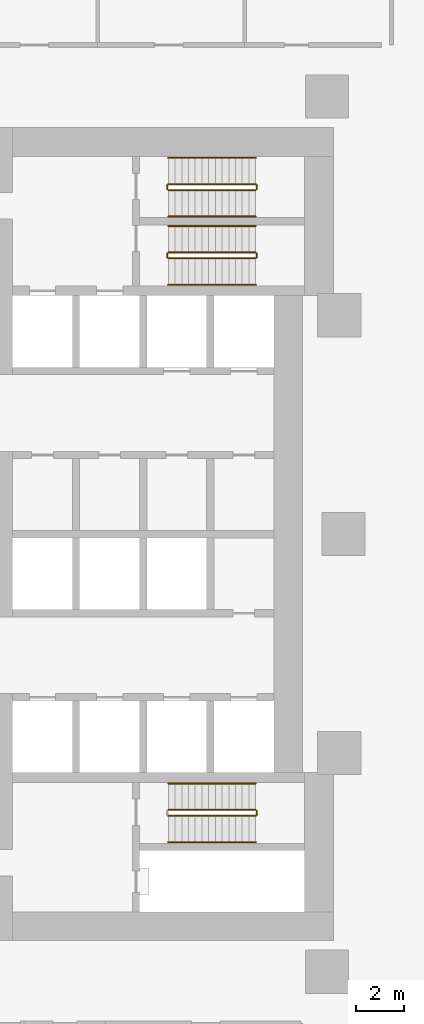
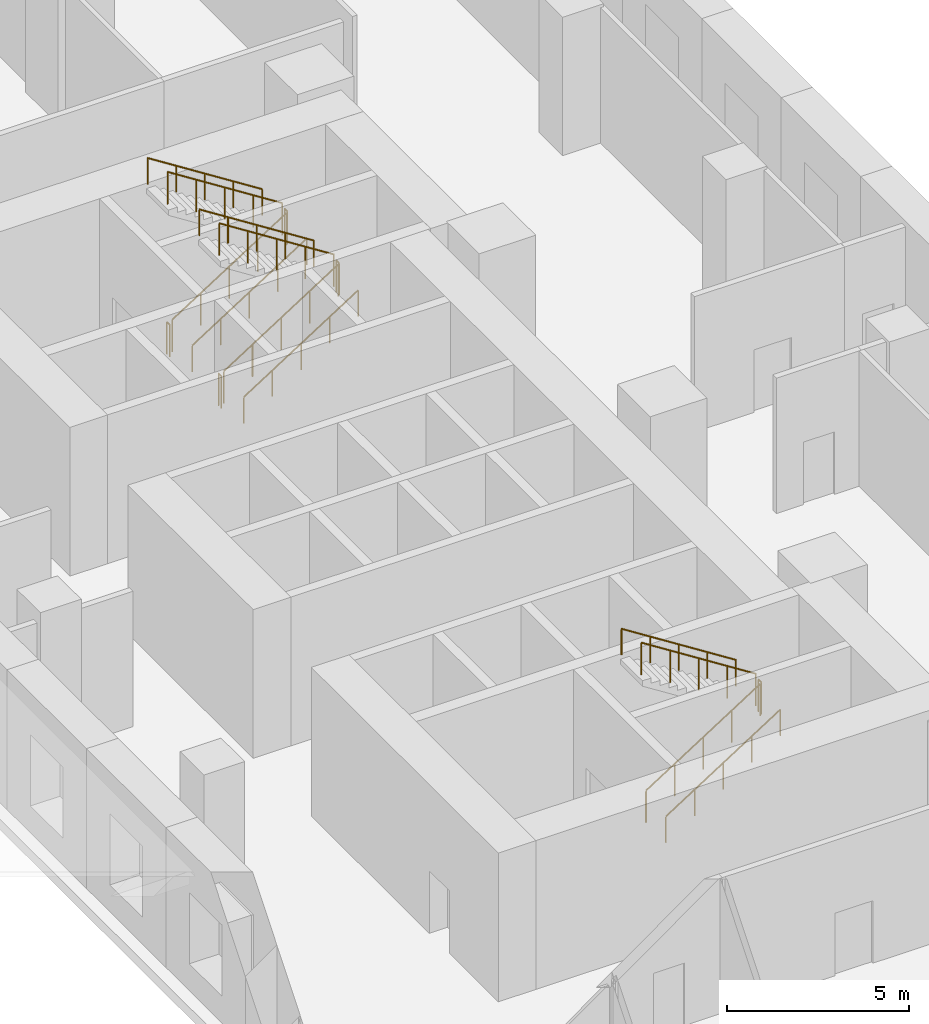
# One storey, part 10 of 11: 17 railings.
"""IFC4 building model written with IfcOpenShell, lengths in metres."""

from ifc_helpers import new_model, si_unit, direction, frame, origin, origin_2d, place, context, subcontext, project, spatial, circle, extrude, material, type_object, element, save


model = new_model("IFC4")

# Units and contexts
model_context = context("Model", 3, precision=1e-05, world=origin(), true_north=direction((0.0, 1.0)))
body_context = subcontext(model_context, "Body", "Model", "MODEL_VIEW")
ifc_project = project(units=[si_unit("LENGTHUNIT", "METRE"), si_unit("AREAUNIT", "SQUARE_METRE"), si_unit("VOLUMEUNIT", "CUBIC_METRE"), si_unit("PLANEANGLEUNIT", "RADIAN"), si_unit("MASSUNIT", "GRAM", prefix="KILO")], contexts=[model_context])

# Site, building, storey
site_placement = place(None, origin())
site = spatial("IfcSite", under=ifc_project, at=site_placement, CompositionType="ELEMENT")
building_placement = place(site_placement, origin())
building = spatial("IfcBuilding", under=site, at=building_placement, Name="Ostrand Prow Hotel Tower", CompositionType="ELEMENT")
storey_placement = place(building_placement, frame((0.0, 0.0, 24.0)))
storey = spatial("IfcBuildingStorey", under=building, at=storey_placement, Name="L04", CompositionType="ELEMENT", Elevation=24.0)

# Railings
ifc_material_1 = material(Name="Painted steel", Category="steel")
railing_type_1 = type_object("IfcRailingType", Name="Stair guard 1100", PredefinedType="GUARDRAIL", material=ifc_material_1)
railing_1_placement = place(storey_placement, frame((57.199951171875, 11.5, 0.178466796875)))
element("IfcRailing", 1, at=railing_1_placement, inside=storey, type_object=railing_type_1, Name="L04 ST1B stair guard 1", PredefinedType="GUARDRAIL", context=body_context, shape_type="SweptSolid", body=[
    extrude(circle(Radius=0.02392578125, at=origin_2d()), frame((0.0, 0.0, 1.076171875), z_axis=(0.843127859045, 0.0, 0.537713132908), x_axis=(0.0, 1.0, 0.0)), (0.0, 0.0, 1.0), 4.3173828125),
    extrude(circle(Radius=0.02099609375, at=origin_2d()), origin(), (0.0, 0.0, 1.0), 1.052001953125),
    extrude(circle(Radius=0.02099609375, at=origin_2d()), frame((0.91015625, 0.0, 0.580322265625)), (0.0, 0.0, 1.0), 1.052001953125),
    extrude(circle(Radius=0.02099609375, at=origin_2d()), frame((1.820068359375, 0.0, 1.16064453125)), (0.0, 0.0, 1.0), 1.052001953125),
    extrude(circle(Radius=0.02099609375, at=origin_2d()), frame((2.72998046875, 0.0, 1.7412109375)), (0.0, 0.0, 1.0), 1.052001953125),
    extrude(circle(Radius=0.02099609375, at=origin_2d()), frame((3.64013671875, 0.0, 2.321533203125)), (0.0, 0.0, 1.0), 1.052001953125),
])
railing_2_placement = place(storey_placement, frame((60.889892578125, 11.550048828125, 2.5)))
element("IfcRailing", 2, at=railing_2_placement, inside=storey, type_object=railing_type_1, Name="L04 ST1B stair guard 2", PredefinedType="GUARDRAIL", context=body_context, shape_type="SweptSolid", body=[
    extrude(circle(Radius=0.02392578125, at=origin_2d()), frame((0.0, 0.0, 1.076171875), z_axis=(0.0, 1.0, 0.0), x_axis=(-1.0, 0.0, 0.0)), (0.0, 0.0, 1.0), 0.14990234375),
    extrude(circle(Radius=0.02099609375, at=origin_2d()), origin(), (0.0, 0.0, 1.0), 1.052001953125),
    extrude(circle(Radius=0.02099609375, at=origin_2d()), frame((0.0, 0.14990234375, 0.0)), (0.0, 0.0, 1.0), 1.052001953125),
])
railing_3_placement = place(storey_placement, frame((60.840087890625, 11.75, 2.678466796875)))
element("IfcRailing", 3, at=railing_3_placement, inside=storey, type_object=railing_type_1, Name="L04 ST1B stair guard 3", PredefinedType="GUARDRAIL", context=body_context, shape_type="SweptSolid", body=[
    extrude(circle(Radius=0.02392578125, at=origin_2d()), frame((0.0, 0.0, 1.076171875), z_axis=(-0.843127859045, 0.0, 0.537713132908), x_axis=(0.0, -1.0, 0.0)), (0.0, 0.0, 1.0), 4.3173828125),
    extrude(circle(Radius=0.02099609375, at=origin_2d()), origin(), (0.0, 0.0, 1.0), 1.052001953125),
    extrude(circle(Radius=0.02099609375, at=origin_2d()), frame((-0.91015625, 0.0, 0.580322265625)), (0.0, 0.0, 1.0), 1.052001953125),
    extrude(circle(Radius=0.02099609375, at=origin_2d()), frame((-1.820068359375, 0.0, 1.16064453125)), (0.0, 0.0, 1.0), 1.052001953125),
    extrude(circle(Radius=0.02099609375, at=origin_2d()), frame((-2.72998046875, 0.0, 1.7412109375)), (0.0, 0.0, 1.0), 1.052001953125),
    extrude(circle(Radius=0.02099609375, at=origin_2d()), frame((-3.64013671875, 0.0, 2.321533203125)), (0.0, 0.0, 1.0), 1.052001953125),
])
railing_4_placement = place(storey_placement, frame((57.14990234375, 11.550048828125, 0.0)))
element("IfcRailing", 4, at=railing_4_placement, inside=storey, type_object=railing_type_1, Name="L04 ST1B stair guard 4", PredefinedType="GUARDRAIL", context=body_context, shape_type="SweptSolid", body=[
    extrude(circle(Radius=0.02392578125, at=origin_2d()), frame((0.0, 0.0, 1.076171875), z_axis=(0.0, 1.0, 0.0), x_axis=(-1.0, 0.0, 0.0)), (0.0, 0.0, 1.0), 0.14990234375),
    extrude(circle(Radius=0.02099609375, at=origin_2d()), origin(), (0.0, 0.0, 1.0), 1.052001953125),
    extrude(circle(Radius=0.02099609375, at=origin_2d()), frame((0.0, 0.14990234375, 0.0)), (0.0, 0.0, 1.0), 1.052001953125),
])
railing_5_placement = place(storey_placement, frame((57.199951171875, 14.35009765625, 0.178466796875)))
element("IfcRailing", 5, at=railing_5_placement, inside=storey, type_object=railing_type_1, Name="L04 ST3B stair guard 1", PredefinedType="GUARDRAIL", context=body_context, shape_type="SweptSolid", body=[
    extrude(circle(Radius=0.02392578125, at=origin_2d()), frame((0.0, 0.0, 1.076171875), z_axis=(0.843127859045, 0.0, 0.537713132908), x_axis=(0.0, 1.0, 0.0)), (0.0, 0.0, 1.0), 4.3173828125),
    extrude(circle(Radius=0.02099609375, at=origin_2d()), origin(), (0.0, 0.0, 1.0), 1.052001953125),
    extrude(circle(Radius=0.02099609375, at=origin_2d()), frame((0.91015625, 0.0, 0.580322265625)), (0.0, 0.0, 1.0), 1.052001953125),
    extrude(circle(Radius=0.02099609375, at=origin_2d()), frame((1.820068359375, 0.0, 1.16064453125)), (0.0, 0.0, 1.0), 1.052001953125),
    extrude(circle(Radius=0.02099609375, at=origin_2d()), frame((2.72998046875, 0.0, 1.7412109375)), (0.0, 0.0, 1.0), 1.052001953125),
    extrude(circle(Radius=0.02099609375, at=origin_2d()), frame((3.64013671875, 0.0, 2.321533203125)), (0.0, 0.0, 1.0), 1.052001953125),
])
railing_6_placement = place(storey_placement, frame((60.889892578125, 14.39990234375, 2.5)))
element("IfcRailing", 6, at=railing_6_placement, inside=storey, type_object=railing_type_1, Name="L04 ST3B stair guard 2", PredefinedType="GUARDRAIL", context=body_context, shape_type="SweptSolid", body=[
    extrude(circle(Radius=0.02392578125, at=origin_2d()), frame((0.0, 0.0, 1.076171875), z_axis=(0.0, 1.0, 0.0), x_axis=(-1.0, 0.0, 0.0)), (0.0, 0.0, 1.0), 0.150146484375),
    extrude(circle(Radius=0.02099609375, at=origin_2d()), origin(), (0.0, 0.0, 1.0), 1.052001953125),
    extrude(circle(Radius=0.02099609375, at=origin_2d()), frame((0.0, 0.150146484375, 0.0)), (0.0, 0.0, 1.0), 1.052001953125),
])
railing_7_placement = place(storey_placement, frame((60.840087890625, 14.60009765625, 2.678466796875)))
element("IfcRailing", 7, at=railing_7_placement, inside=storey, type_object=railing_type_1, Name="L04 ST3B stair guard 3", PredefinedType="GUARDRAIL", context=body_context, shape_type="SweptSolid", body=[
    extrude(circle(Radius=0.02392578125, at=origin_2d()), frame((0.0, 0.0, 1.076171875), z_axis=(-0.843127859045, 0.0, 0.537713132908), x_axis=(0.0, -1.0, 0.0)), (0.0, 0.0, 1.0), 4.3173828125),
    extrude(circle(Radius=0.02099609375, at=origin_2d()), origin(), (0.0, 0.0, 1.0), 1.052001953125),
    extrude(circle(Radius=0.02099609375, at=origin_2d()), frame((-0.91015625, 0.0, 0.580322265625)), (0.0, 0.0, 1.0), 1.052001953125),
    extrude(circle(Radius=0.02099609375, at=origin_2d()), frame((-1.820068359375, 0.0, 1.16064453125)), (0.0, 0.0, 1.0), 1.052001953125),
    extrude(circle(Radius=0.02099609375, at=origin_2d()), frame((-2.72998046875, 0.0, 1.7412109375)), (0.0, 0.0, 1.0), 1.052001953125),
    extrude(circle(Radius=0.02099609375, at=origin_2d()), frame((-3.64013671875, 0.0, 2.321533203125)), (0.0, 0.0, 1.0), 1.052001953125),
])
railing_8_placement = place(storey_placement, frame((57.14990234375, 14.39990234375, 0.0)))
element("IfcRailing", 8, at=railing_8_placement, inside=storey, type_object=railing_type_1, Name="L04 ST3B stair guard 4", PredefinedType="GUARDRAIL", context=body_context, shape_type="SweptSolid", body=[
    extrude(circle(Radius=0.02392578125, at=origin_2d()), frame((0.0, 0.0, 1.076171875), z_axis=(0.0, 1.0, 0.0), x_axis=(-1.0, 0.0, 0.0)), (0.0, 0.0, 1.0), 0.150146484375),
    extrude(circle(Radius=0.02099609375, at=origin_2d()), origin(), (0.0, 0.0, 1.0), 1.052001953125),
    extrude(circle(Radius=0.02099609375, at=origin_2d()), frame((0.0, 0.150146484375, 0.0)), (0.0, 0.0, 1.0), 1.052001953125),
])
railing_9_placement = place(storey_placement, frame((57.199951171875, -11.75, 0.178466796875)))
element("IfcRailing", 9, at=railing_9_placement, inside=storey, type_object=railing_type_1, Name="L04 ST2B stair guard 1", PredefinedType="GUARDRAIL", context=body_context, shape_type="SweptSolid", body=[
    extrude(circle(Radius=0.02392578125, at=origin_2d()), frame((0.0, 0.0, 1.076171875), z_axis=(0.843127859045, 0.0, 0.537713132908), x_axis=(0.0, 1.0, 0.0)), (0.0, 0.0, 1.0), 4.3173828125),
    extrude(circle(Radius=0.02099609375, at=origin_2d()), origin(), (0.0, 0.0, 1.0), 1.052001953125),
    extrude(circle(Radius=0.02099609375, at=origin_2d()), frame((0.91015625, 0.0, 0.580322265625)), (0.0, 0.0, 1.0), 1.052001953125),
    extrude(circle(Radius=0.02099609375, at=origin_2d()), frame((1.820068359375, 0.0, 1.16064453125)), (0.0, 0.0, 1.0), 1.052001953125),
    extrude(circle(Radius=0.02099609375, at=origin_2d()), frame((2.72998046875, 0.0, 1.7412109375)), (0.0, 0.0, 1.0), 1.052001953125),
    extrude(circle(Radius=0.02099609375, at=origin_2d()), frame((3.64013671875, 0.0, 2.321533203125)), (0.0, 0.0, 1.0), 1.052001953125),
])
railing_10_placement = place(storey_placement, frame((60.889892578125, -11.699951171875, 2.5)))
element("IfcRailing", 10, at=railing_10_placement, inside=storey, type_object=railing_type_1, Name="L04 ST2B stair guard 2", PredefinedType="GUARDRAIL", context=body_context, shape_type="SweptSolid", body=[
    extrude(circle(Radius=0.02392578125, at=origin_2d()), frame((0.0, 0.0, 1.076171875), z_axis=(0.0, 1.0, 0.0), x_axis=(-1.0, 0.0, 0.0)), (0.0, 0.0, 1.0), 0.14990234375),
    extrude(circle(Radius=0.02099609375, at=origin_2d()), origin(), (0.0, 0.0, 1.0), 1.052001953125),
    extrude(circle(Radius=0.02099609375, at=origin_2d()), frame((0.0, 0.14990234375, 0.0)), (0.0, 0.0, 1.0), 1.052001953125),
])
railing_11_placement = place(storey_placement, frame((60.840087890625, -11.5, 2.678466796875)))
element("IfcRailing", 11, at=railing_11_placement, inside=storey, type_object=railing_type_1, Name="L04 ST2B stair guard 3", PredefinedType="GUARDRAIL", context=body_context, shape_type="SweptSolid", body=[
    extrude(circle(Radius=0.02392578125, at=origin_2d()), frame((0.0, 0.0, 1.076171875), z_axis=(-0.843127859045, 0.0, 0.537713132908), x_axis=(0.0, -1.0, 0.0)), (0.0, 0.0, 1.0), 4.3173828125),
    extrude(circle(Radius=0.02099609375, at=origin_2d()), origin(), (0.0, 0.0, 1.0), 1.052001953125),
    extrude(circle(Radius=0.02099609375, at=origin_2d()), frame((-0.91015625, 0.0, 0.580322265625)), (0.0, 0.0, 1.0), 1.052001953125),
    extrude(circle(Radius=0.02099609375, at=origin_2d()), frame((-1.820068359375, 0.0, 1.16064453125)), (0.0, 0.0, 1.0), 1.052001953125),
    extrude(circle(Radius=0.02099609375, at=origin_2d()), frame((-2.72998046875, 0.0, 1.7412109375)), (0.0, 0.0, 1.0), 1.052001953125),
    extrude(circle(Radius=0.02099609375, at=origin_2d()), frame((-3.64013671875, 0.0, 2.321533203125)), (0.0, 0.0, 1.0), 1.052001953125),
])
ifc_material_2 = material(Name="Stainless steel", Category="steel")
railing_type_2 = type_object("IfcRailingType", Name="Stair handrail 900", PredefinedType="HANDRAIL", material=ifc_material_2)
railing_12_placement = place(storey_placement, frame((57.199951171875, 10.39990234375, 0.178466796875)))
element("IfcRailing", 12, at=railing_12_placement, inside=storey, type_object=railing_type_2, Name="L04 ST1B stair handrail 1", PredefinedType="HANDRAIL", context=body_context, shape_type="SweptSolid", body=[
    extrude(circle(Radius=0.02392578125, at=origin_2d()), frame((0.0, 0.0, 0.8759765625), z_axis=(0.843127859045, 0.0, 0.537713132908), x_axis=(0.0, 1.0, 0.0)), (0.0, 0.0, 1.0), 4.3173828125),
    extrude(circle(Radius=0.02099609375, at=origin_2d()), origin(), (0.0, 0.0, 1.0), 0.851806640625),
    extrude(circle(Radius=0.02099609375, at=origin_2d()), frame((0.91015625, 0.0, 0.580322265625)), (0.0, 0.0, 1.0), 0.851806640625),
    extrude(circle(Radius=0.02099609375, at=origin_2d()), frame((1.820068359375, 0.0, 1.16064453125)), (0.0, 0.0, 1.0), 0.851806640625),
    extrude(circle(Radius=0.02099609375, at=origin_2d()), frame((2.72998046875, 0.0, 1.7412109375)), (0.0, 0.0, 1.0), 0.851806640625),
    extrude(circle(Radius=0.02099609375, at=origin_2d()), frame((3.64013671875, 0.0, 2.321533203125)), (0.0, 0.0, 1.0), 0.851806640625),
])
railing_13_placement = place(storey_placement, frame((60.840087890625, 12.85009765625, 2.678466796875)))
element("IfcRailing", 13, at=railing_13_placement, inside=storey, type_object=railing_type_2, Name="L04 ST1B stair handrail 2", PredefinedType="HANDRAIL", context=body_context, shape_type="SweptSolid", body=[
    extrude(circle(Radius=0.02392578125, at=origin_2d()), frame((0.0, 0.0, 0.8759765625), z_axis=(-0.843127859045, 0.0, 0.537713132908), x_axis=(0.0, -1.0, 0.0)), (0.0, 0.0, 1.0), 4.3173828125),
    extrude(circle(Radius=0.02099609375, at=origin_2d()), origin(), (0.0, 0.0, 1.0), 0.851806640625),
    extrude(circle(Radius=0.02099609375, at=origin_2d()), frame((-0.91015625, 0.0, 0.580322265625)), (0.0, 0.0, 1.0), 0.851806640625),
    extrude(circle(Radius=0.02099609375, at=origin_2d()), frame((-1.820068359375, 0.0, 1.16064453125)), (0.0, 0.0, 1.0), 0.851806640625),
    extrude(circle(Radius=0.02099609375, at=origin_2d()), frame((-2.72998046875, 0.0, 1.7412109375)), (0.0, 0.0, 1.0), 0.851806640625),
    extrude(circle(Radius=0.02099609375, at=origin_2d()), frame((-3.64013671875, 0.0, 2.321533203125)), (0.0, 0.0, 1.0), 0.851806640625),
])
railing_14_placement = place(storey_placement, frame((57.199951171875, 13.25, 0.178466796875)))
element("IfcRailing", 14, at=railing_14_placement, inside=storey, type_object=railing_type_2, Name="L04 ST3B stair handrail 1", PredefinedType="HANDRAIL", context=body_context, shape_type="SweptSolid", body=[
    extrude(circle(Radius=0.02392578125, at=origin_2d()), frame((0.0, 0.0, 0.8759765625), z_axis=(0.843127859045, 0.0, 0.537713132908), x_axis=(0.0, 1.0, 0.0)), (0.0, 0.0, 1.0), 4.3173828125),
    extrude(circle(Radius=0.02099609375, at=origin_2d()), origin(), (0.0, 0.0, 1.0), 0.851806640625),
    extrude(circle(Radius=0.02099609375, at=origin_2d()), frame((0.91015625, 0.0, 0.580322265625)), (0.0, 0.0, 1.0), 0.851806640625),
    extrude(circle(Radius=0.02099609375, at=origin_2d()), frame((1.820068359375, 0.0, 1.16064453125)), (0.0, 0.0, 1.0), 0.851806640625),
    extrude(circle(Radius=0.02099609375, at=origin_2d()), frame((2.72998046875, 0.0, 1.7412109375)), (0.0, 0.0, 1.0), 0.851806640625),
    extrude(circle(Radius=0.02099609375, at=origin_2d()), frame((3.64013671875, 0.0, 2.321533203125)), (0.0, 0.0, 1.0), 0.851806640625),
])
railing_15_placement = place(storey_placement, frame((60.840087890625, 15.699951171875, 2.678466796875)))
element("IfcRailing", 15, at=railing_15_placement, inside=storey, type_object=railing_type_2, Name="L04 ST3B stair handrail 2", PredefinedType="HANDRAIL", context=body_context, shape_type="SweptSolid", body=[
    extrude(circle(Radius=0.02392578125, at=origin_2d()), frame((0.0, 0.0, 0.8759765625), z_axis=(-0.843127859045, 0.0, 0.537713132908), x_axis=(0.0, -1.0, 0.0)), (0.0, 0.0, 1.0), 4.3173828125),
    extrude(circle(Radius=0.02099609375, at=origin_2d()), origin(), (0.0, 0.0, 1.0), 0.851806640625),
    extrude(circle(Radius=0.02099609375, at=origin_2d()), frame((-0.91015625, 0.0, 0.580322265625)), (0.0, 0.0, 1.0), 0.851806640625),
    extrude(circle(Radius=0.02099609375, at=origin_2d()), frame((-1.820068359375, 0.0, 1.16064453125)), (0.0, 0.0, 1.0), 0.851806640625),
    extrude(circle(Radius=0.02099609375, at=origin_2d()), frame((-2.72998046875, 0.0, 1.7412109375)), (0.0, 0.0, 1.0), 0.851806640625),
    extrude(circle(Radius=0.02099609375, at=origin_2d()), frame((-3.64013671875, 0.0, 2.321533203125)), (0.0, 0.0, 1.0), 0.851806640625),
])
railing_16_placement = place(storey_placement, frame((57.199951171875, -12.85009765625, 0.178466796875)))
element("IfcRailing", 16, at=railing_16_placement, inside=storey, type_object=railing_type_2, Name="L04 ST2B stair handrail 1", PredefinedType="HANDRAIL", context=body_context, shape_type="SweptSolid", body=[
    extrude(circle(Radius=0.02392578125, at=origin_2d()), frame((0.0, 0.0, 0.8759765625), z_axis=(0.843127859045, 0.0, 0.537713132908), x_axis=(0.0, 1.0, 0.0)), (0.0, 0.0, 1.0), 4.3173828125),
    extrude(circle(Radius=0.02099609375, at=origin_2d()), origin(), (0.0, 0.0, 1.0), 0.851806640625),
    extrude(circle(Radius=0.02099609375, at=origin_2d()), frame((0.91015625, 0.0, 0.580322265625)), (0.0, 0.0, 1.0), 0.851806640625),
    extrude(circle(Radius=0.02099609375, at=origin_2d()), frame((1.820068359375, 0.0, 1.16064453125)), (0.0, 0.0, 1.0), 0.851806640625),
    extrude(circle(Radius=0.02099609375, at=origin_2d()), frame((2.72998046875, 0.0, 1.7412109375)), (0.0, 0.0, 1.0), 0.851806640625),
    extrude(circle(Radius=0.02099609375, at=origin_2d()), frame((3.64013671875, 0.0, 2.321533203125)), (0.0, 0.0, 1.0), 0.851806640625),
])
railing_17_placement = place(storey_placement, frame((60.840087890625, -10.39990234375, 2.678466796875)))
element("IfcRailing", 17, at=railing_17_placement, inside=storey, type_object=railing_type_2, Name="L04 ST2B stair handrail 2", PredefinedType="HANDRAIL", context=body_context, shape_type="SweptSolid", body=[
    extrude(circle(Radius=0.02392578125, at=origin_2d()), frame((0.0, 0.0, 0.8759765625), z_axis=(-0.843127859045, 0.0, 0.537713132908), x_axis=(0.0, -1.0, 0.0)), (0.0, 0.0, 1.0), 4.3173828125),
    extrude(circle(Radius=0.02099609375, at=origin_2d()), origin(), (0.0, 0.0, 1.0), 0.851806640625),
    extrude(circle(Radius=0.02099609375, at=origin_2d()), frame((-0.91015625, 0.0, 0.580322265625)), (0.0, 0.0, 1.0), 0.851806640625),
    extrude(circle(Radius=0.02099609375, at=origin_2d()), frame((-1.820068359375, 0.0, 1.16064453125)), (0.0, 0.0, 1.0), 0.851806640625),
    extrude(circle(Radius=0.02099609375, at=origin_2d()), frame((-2.72998046875, 0.0, 1.7412109375)), (0.0, 0.0, 1.0), 0.851806640625),
    extrude(circle(Radius=0.02099609375, at=origin_2d()), frame((-3.64013671875, 0.0, 2.321533203125)), (0.0, 0.0, 1.0), 0.851806640625),
])

save(model, "model.ifc")
